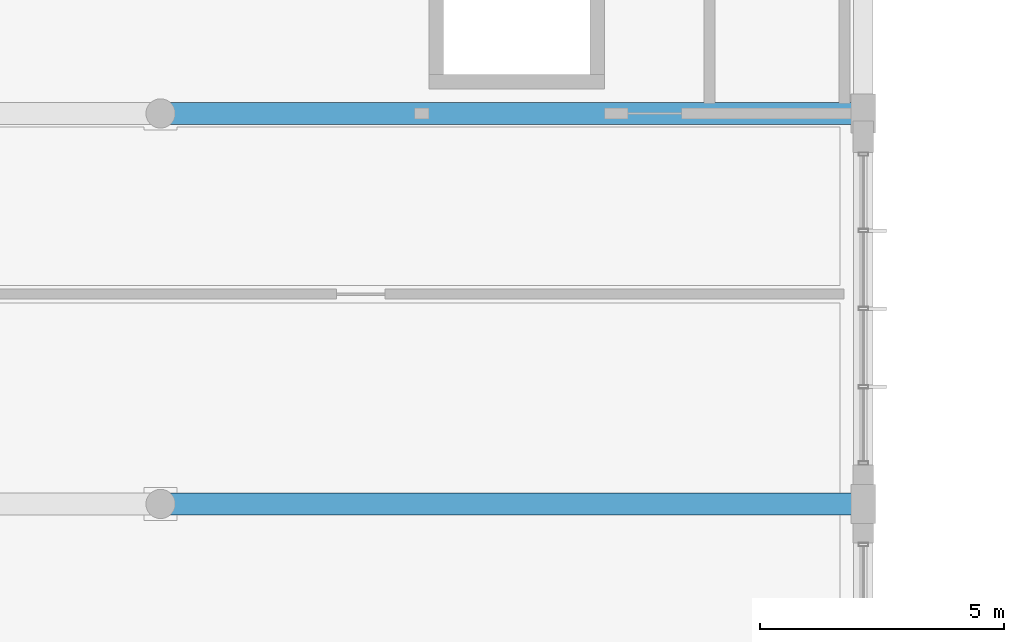
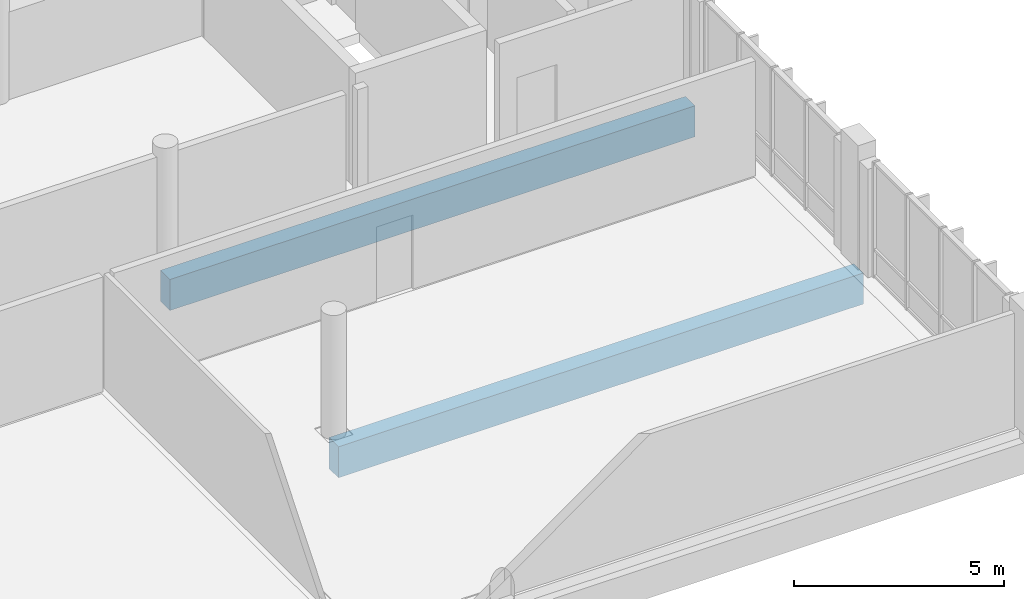
# One storey, part 88 of 189: 2 beams.
"""IFC4 building model written with IfcOpenShell, lengths in metres."""

from ifc_helpers import new_model, si_unit, direction, frame, origin, origin_2d, place, context, subcontext, project, spatial, rectangle, extrude, material, material_profile, profile_set, type_object, element, save


model = new_model("IFC4")

# Units and contexts
model_context = context("Model", 3, precision=1e-05, world=origin(), true_north=direction((0.0, 1.0)))
body_context = subcontext(model_context, "Body", "Model", "MODEL_VIEW")
ifc_project = project(units=[si_unit("LENGTHUNIT", "METRE"), si_unit("AREAUNIT", "SQUARE_METRE"), si_unit("VOLUMEUNIT", "CUBIC_METRE"), si_unit("PLANEANGLEUNIT", "RADIAN"), si_unit("MASSUNIT", "GRAM", prefix="KILO")], contexts=[model_context])

# Site, building, storey
site_placement = place(None, origin())
site = spatial("IfcSite", under=ifc_project, at=site_placement, CompositionType="ELEMENT")
building_placement = place(site_placement, origin())
building = spatial("IfcBuilding", under=site, at=building_placement, Name="Zavelmont Quarter", CompositionType="ELEMENT")
storey_placement = place(building_placement, frame((0.0, 0.0, 4.39990234375)))
storey = spatial("IfcBuildingStorey", under=building, at=storey_placement, Name="L01", CompositionType="ELEMENT", Elevation=4.39990234375)

# Beams
ifc_material = material(Name="Concrete C40/50", Category="concrete")
ifc_material_profile = material_profile(ifc_material, rectangle(XDim=0.449951171875, YDim=0.89990234375, at=origin_2d()), Name="RC450X900")
ifc_profile_set = profile_set([ifc_material_profile], Name="Concrete C40/50")
beam_type = type_object("IfcBeamType", Name="BM06", PredefinedType="BEAM", material=ifc_profile_set)
for number, where, z_axis, x_axis, name in (
    (1, (98.39990234375, 70.0, -0.72998046875), (1.0, 0.0, 0.0), (0.0, 1.0, 0.0), "L01 beam BM06 15/L to 17/L"),
    (2, (98.39990234375, 78.0, -0.72998046875), (1.0, 0.0, 0.0), (0.0, 1.0, 0.0), "L01 beam BM06 15/M to 17/M"),
):
    element("IfcBeam", number, at=place(storey_placement, frame(where, z_axis=z_axis, x_axis=x_axis)), inside=storey, type_object=beam_type, Name=name, PredefinedType="BEAM", context=body_context, shape_type="SweptSolid", body=[
        extrude(rectangle(XDim=0.449951171875, YDim=0.89990234375, at=origin_2d()), origin(), (0.0, 0.0, 1.0), 14.400146484375),
    ])

save(model, "model.ifc")
